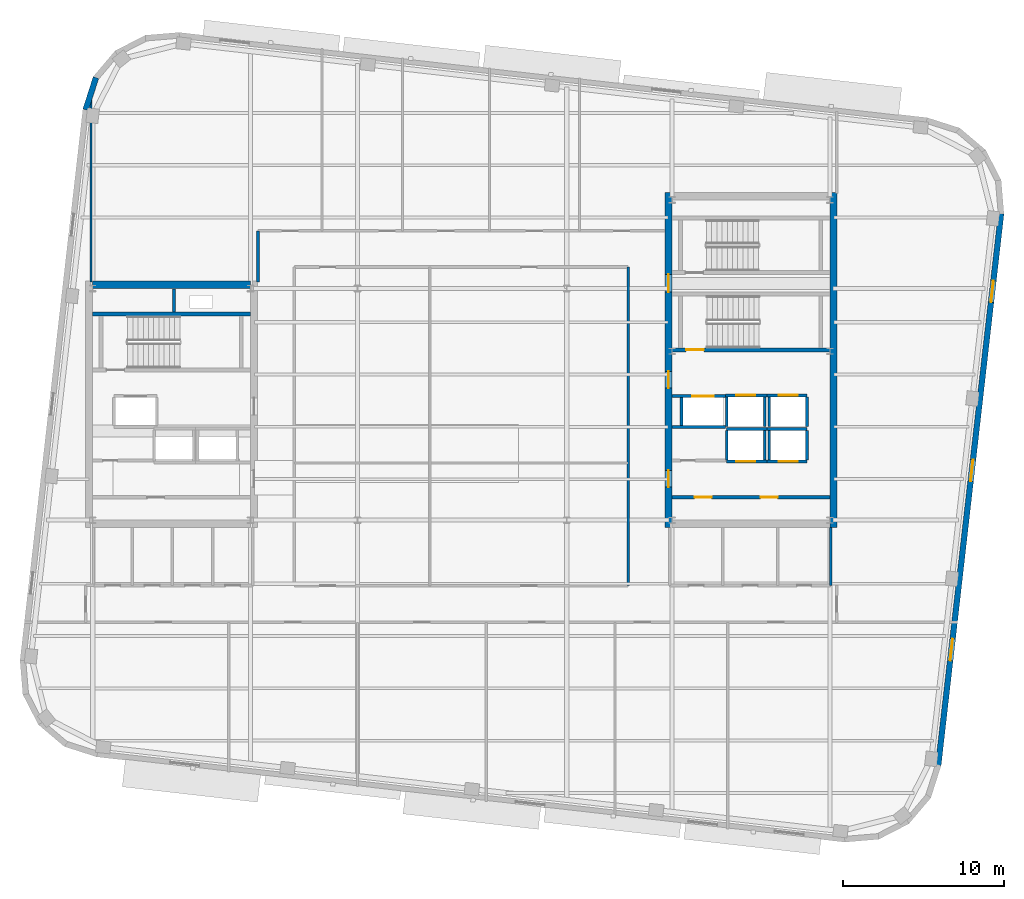
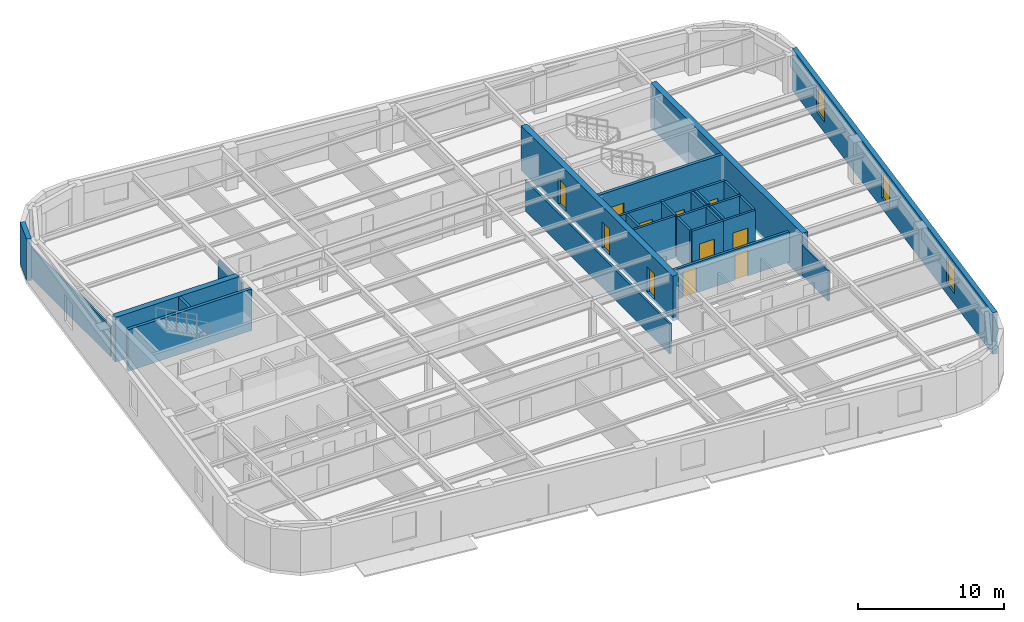
# One storey, part 7 of 13: 30 walls, 11 doors, 3 windows, 14 openings.
"""IFC4 building model written with IfcOpenShell, lengths in metres."""

from ifc_helpers import new_model, si_unit, direction, frame, frame_2d, origin, place, context, subcontext, project, spatial, rectangle, extrude, material, layer, layer_set, type_object, element, fill, save


model = new_model("IFC4")

# Units and contexts
model_context = context("Model", 3, precision=1e-05, world=origin(), true_north=direction((0.0, 1.0)))
body_context = subcontext(model_context, "Body", "Model", "MODEL_VIEW")
ifc_project = project(units=[si_unit("LENGTHUNIT", "METRE"), si_unit("AREAUNIT", "SQUARE_METRE"), si_unit("VOLUMEUNIT", "CUBIC_METRE"), si_unit("PLANEANGLEUNIT", "RADIAN"), si_unit("MASSUNIT", "GRAM", prefix="KILO")], contexts=[model_context])

# Site, building, storey
site_placement = place(None, origin())
site = spatial("IfcSite", under=ifc_project, at=site_placement, CompositionType="ELEMENT")
building_placement = place(site_placement, origin())
building = spatial("IfcBuilding", under=site, at=building_placement, Name="Kolvaren Arena Tower", CompositionType="ELEMENT")
storey_placement = place(building_placement, frame((0.0, 0.0, 250.949951171875)))
storey = spatial("IfcBuildingStorey", under=building, at=storey_placement, Name="L61", CompositionType="ELEMENT", Elevation=250.949951171875)

# Walls
ifc_material_1 = material(Name="Gypsum board acoustic assembly", Category="gypsum")
ifc_layer_1 = layer(ifc_material_1, 0.159912109375)
ifc_layer_set_1 = layer_set([ifc_layer_1], Name="Gypsum board acoustic assembly")
wall_type_1 = type_object("IfcWallType", Name="CORR-160", PredefinedType="PARTITIONING", material=ifc_layer_set_1)
wall_1_placement = place(storey_placement, frame((24.820068359375, 34.25, 0.0), z_axis=(0.0, 0.0, 1.0), x_axis=(0.0, 1.0, 0.0)))
element("IfcWall", 1, at=wall_1_placement, inside=storey, type_object=wall_type_1, Name="Interior Partition Wall (L61)", PredefinedType="PARTITIONING", context=body_context, shape_type="SweptSolid", body=[
    extrude(rectangle(XDim=3.169921875, YDim=0.159912109375, at=frame_2d((1.5849609375, 0.0))), origin(), (0.0, 0.0, 1.0), 2.5400390625),
])
wall_2_placement = place(storey_placement, frame((47.820068359375, 15.3798828125, 0.0), z_axis=(0.0, 0.0, 1.0), x_axis=(0.0, 1.0, 0.0)))
element("IfcWall", 2, at=wall_2_placement, inside=storey, type_object=wall_type_1, Name="Interior Partition Wall (L61)", PredefinedType="PARTITIONING", context=body_context, shape_type="SweptSolid", body=[
    extrude(rectangle(XDim=19.800048828125, YDim=0.159912109375, at=frame_2d((9.89990234375, 0.0))), origin(), (0.0, 0.0, 1.0), 2.5400390625),
])
ifc_material_2 = material(Name="Concrete 55 MPa", Category="concrete")
ifc_layer_2 = layer(ifc_material_2, 0.449951171875)
ifc_layer_set_2 = layer_set([ifc_layer_2], Name="Concrete 55 MPa")
wall_type_2 = type_object("IfcWallType", Name="CWALL-450", PredefinedType="SHEAR", material=ifc_layer_set_2)
wall_3_placement = place(storey_placement, frame((14.550048828125, 34.074951171875, -0.27001953125), z_axis=(0.0, 0.0, 1.0), x_axis=(1.0, 0.0, 0.0)))
element("IfcWall", 3, at=wall_3_placement, inside=storey, type_object=wall_type_2, Name="Core Shear Wall WC-NORTH (L61)", PredefinedType="SHEAR", context=body_context, shape_type="SweptSolid", body=[
    extrude(rectangle(XDim=9.800048828125, YDim=0.449951171875, at=frame_2d((4.89990234375, 0.0))), origin(), (0.0, 0.0, 1.0), 3.75),
])

# Wall, openings, doors
wall_4_placement = place(storey_placement, frame((50.324951171875, 19.0, -0.27001953125), z_axis=(0.0, 0.0, 1.0), x_axis=(0.0, 1.0, 0.0)))
wall_4 = element("IfcWall", 4, at=wall_4_placement, inside=storey, type_object=wall_type_2, Name="Core Shear Wall EC-WEST (L61)", PredefinedType="SHEAR", context=body_context, shape_type="SweptSolid", body=[
    extrude(rectangle(XDim=20.800048828125, YDim=0.449951171875, at=frame_2d((10.39990234375, 0.0))), origin(), (0.0, 0.0, 1.0), 3.75),
])
opening_1_placement = place(wall_4_placement, frame((2.5, 0.0, 0.27001953125)))
opening_1 = element("IfcOpeningElement", 5, at=opening_1_placement, cuts=wall_4, Name="Opening D04", PredefinedType="OPENING", context=body_context, shape_type="SweptSolid", body=[
    extrude(rectangle(XDim=1.050048828125, YDim=2.14990234375, at=frame_2d((0.52490234375, 1.074951171875))), frame((0.0, 0.23486328125, 0.0), z_axis=(0.0, -1.0, 0.0), x_axis=(1.0, 0.0, 0.0)), (0.0, 0.0, 1.0), 0.469970703125),
])
opening_2_placement = place(wall_4_placement, frame((8.64990234375, 0.0, 0.27001953125)))
opening_2 = element("IfcOpeningElement", 6, at=opening_2_placement, cuts=wall_4, Name="Opening D04", PredefinedType="OPENING", context=body_context, shape_type="SweptSolid", body=[
    extrude(rectangle(XDim=1.050048828125, YDim=2.14990234375, at=frame_2d((0.52490234375, 1.074951171875))), frame((0.0, 0.23486328125, 0.0), z_axis=(0.0, -1.0, 0.0), x_axis=(1.0, 0.0, 0.0)), (0.0, 0.0, 1.0), 0.469970703125),
])
opening_3_placement = place(wall_4_placement, frame((14.6201171875, 0.0, 0.27001953125)))
opening_3 = element("IfcOpeningElement", 7, at=opening_3_placement, cuts=wall_4, Name="Opening D03", PredefinedType="OPENING", context=body_context, shape_type="SweptSolid", body=[
    extrude(rectangle(XDim=1.10009765625, YDim=2.14990234375, at=frame_2d((0.550048828125, 1.074951171875))), frame((0.0, 0.23486328125, 0.0), z_axis=(0.0, -1.0, 0.0), x_axis=(1.0, 0.0, 0.0)), (0.0, 0.0, 1.0), 0.469970703125),
])
ifc_material_3 = material(Name="Fire-rated steel lobby door", Category="steel")
door_type_1 = type_object("IfcDoorType", Name="DOOR-FF-105", OperationType="NOTDEFINED", PredefinedType="DOOR", material=ifc_material_3)
door_1_placement = place(opening_1_placement, origin())
door_1 = element("IfcDoor", 8, at=door_1_placement, inside=storey, type_object=door_type_1, Name="East Lift Lobby Fire Door (L61)", OperationType="SINGLE_SWING_RIGHT", OverallHeight=2.14990234375, OverallWidth=1.050048828125, PredefinedType="DOOR", context=body_context, shape_type="SweptSolid", body=[
    extrude(rectangle(XDim=1.050048828125, YDim=2.14990234375, at=frame_2d((0.52490234375, 1.074951171875))), frame((0.0, 0.02490234375, 0.0), z_axis=(0.0, -1.0, 0.0), x_axis=(1.0, 0.0, 0.0)), (0.0, 0.0, 1.0), 0.050048828125),
])
fill(opening_1, door_1)
door_2_placement = place(opening_2_placement, origin())
door_2 = element("IfcDoor", 9, at=door_2_placement, inside=storey, type_object=door_type_1, Name="East Firefighter Vestibule Door (L61)", OperationType="SINGLE_SWING_LEFT", OverallHeight=2.14990234375, OverallWidth=1.050048828125, PredefinedType="DOOR", context=body_context, shape_type="SweptSolid", body=[
    extrude(rectangle(XDim=1.050048828125, YDim=2.14990234375, at=frame_2d((0.52490234375, 1.074951171875))), frame((0.0, 0.02490234375, 0.0), z_axis=(0.0, -1.0, 0.0), x_axis=(1.0, 0.0, 0.0)), (0.0, 0.0, 1.0), 0.050048828125),
])
fill(opening_2, door_2)
ifc_material_4 = material(Name="Fire-rated steel exit stair door", Category="steel")
door_type_2 = type_object("IfcDoorType", Name="DOOR-ST-110", OperationType="NOTDEFINED", PredefinedType="DOOR", material=ifc_material_4)
door_3_placement = place(opening_3_placement, origin())
door_3 = element("IfcDoor", 10, at=door_3_placement, inside=storey, type_object=door_type_2, Name="Stair ST-E2 Vestibule Fire Door (L61)", OperationType="SINGLE_SWING_LEFT", OverallHeight=2.14990234375, OverallWidth=1.10009765625, PredefinedType="DOOR", context=body_context, shape_type="SweptSolid", body=[
    extrude(rectangle(XDim=1.10009765625, YDim=2.14990234375, at=frame_2d((0.550048828125, 1.074951171875))), frame((0.0, 0.02490234375, 0.0), z_axis=(0.0, -1.0, 0.0), x_axis=(1.0, 0.0, 0.0)), (0.0, 0.0, 1.0), 0.050048828125),
])
fill(opening_3, door_3)

# Wall
wall_5_placement = place(storey_placement, frame((60.574951171875, 19.0, -0.27001953125), z_axis=(0.0, 0.0, 1.0), x_axis=(0.0, 1.0, 0.0)))
element("IfcWall", 11, at=wall_5_placement, inside=storey, type_object=wall_type_2, Name="Core Shear Wall EC-EAST (L61)", PredefinedType="SHEAR", context=body_context, shape_type="SweptSolid", body=[
    extrude(rectangle(XDim=20.800048828125, YDim=0.449951171875, at=frame_2d((10.39990234375, 0.0))), origin(), (0.0, 0.0, 1.0), 3.75),
])

# Wall, openings, windows
ifc_material_5 = material(Name="Precast concrete C50/60", Category="concrete")
ifc_layer_3 = layer(ifc_material_5, 0.360107421875)
ifc_layer_set_3 = layer_set([ifc_layer_3], Name="Precast concrete C50/60")
wall_type_3 = type_object("IfcWallType", Name="EXT-PIER2", PredefinedType="SOLIDWALL", material=ifc_layer_set_3)
wall_6_placement = place(storey_placement, frame((70.98876953125, 38.499267578125, 0.0), z_axis=(0.0, 0.0, 1.0), x_axis=(-0.113203107947, -0.993571867733, 0.0)))
wall_6 = element("IfcWall", 12, at=wall_6_placement, inside=storey, type_object=wall_type_3, Name="Exterior Precast Masonry-Frame Wall (L61)", PredefinedType="SOLIDWALL", context=body_context, shape_type="SweptSolid", body=[
    extrude(rectangle(XDim=34.5, YDim=0.360107421875, at=frame_2d((17.25, 0.0))), origin(), (0.0, 0.0, 1.0), 3.47998046875),
])
opening_4_placement = place(wall_6_placement, frame((4.199951171875, 0.0, 0.8798828125)))
opening_4 = element("IfcOpeningElement", 13, at=opening_4_placement, cuts=wall_6, Name="Opening W04", PredefinedType="OPENING", context=body_context, shape_type="SweptSolid", body=[
    extrude(rectangle(XDim=1.35009765625, YDim=2.199951171875, at=frame_2d((0.675048828125, 1.10009765625))), frame((0.0, 0.18994140625, 0.0), z_axis=(0.0, -1.0, 0.0), x_axis=(1.0, 0.0, 0.0)), (0.0, 0.0, 1.0), 0.380126953125),
])
opening_5_placement = place(wall_6_placement, frame((15.39990234375, 0.0, 0.8798828125)))
opening_5 = element("IfcOpeningElement", 14, at=opening_5_placement, cuts=wall_6, Name="Opening W04", PredefinedType="OPENING", context=body_context, shape_type="SweptSolid", body=[
    extrude(rectangle(XDim=1.35009765625, YDim=2.199951171875, at=frame_2d((0.675048828125, 1.10009765625))), frame((0.0, 0.18994140625, 0.0), z_axis=(0.0, -1.0, 0.0), x_axis=(1.0, 0.0, 0.0)), (0.0, 0.0, 1.0), 0.380126953125),
])
opening_6_placement = place(wall_6_placement, frame((26.60009765625, 0.0, 0.8798828125)))
opening_6 = element("IfcOpeningElement", 15, at=opening_6_placement, cuts=wall_6, Name="Opening W04", PredefinedType="OPENING", context=body_context, shape_type="SweptSolid", body=[
    extrude(rectangle(XDim=1.35009765625, YDim=2.199951171875, at=frame_2d((0.675048828125, 1.10009765625))), frame((0.0, 0.18994140625, 0.0), z_axis=(0.0, -1.0, 0.0), x_axis=(1.0, 0.0, 0.0)), (0.0, 0.0, 1.0), 0.380126953125),
])
ifc_material_6 = material(Name="Triple-glazed curved-facet corner window", Category="glass")
window_type = type_object("IfcWindowType", Name="WIN-CRN-A", PartitioningType="SINGLE_PANEL", PredefinedType="WINDOW", material=ifc_material_6)
window_1_placement = place(opening_4_placement, origin())
window_1 = element("IfcWindow", 16, at=window_1_placement, inside=storey, type_object=window_type, Name="End-Wall Punched Window (L61)", OverallHeight=2.199951171875, OverallWidth=1.35009765625, PartitioningType="SINGLE_PANEL", PredefinedType="WINDOW", context=body_context, shape_type="SweptSolid", body=[
    extrude(rectangle(XDim=1.35009765625, YDim=2.199951171875, at=frame_2d((0.675048828125, 1.10009765625))), frame((0.0, 0.030029296875, 0.0), z_axis=(0.0, -1.0, 0.0), x_axis=(1.0, 0.0, 0.0)), (0.0, 0.0, 1.0), 0.06005859375),
])
fill(opening_4, window_1)
window_2_placement = place(opening_5_placement, origin())
window_2 = element("IfcWindow", 17, at=window_2_placement, inside=storey, type_object=window_type, Name="End-Wall Punched Window (L61)", OverallHeight=2.199951171875, OverallWidth=1.35009765625, PartitioningType="SINGLE_PANEL", PredefinedType="WINDOW", context=body_context, shape_type="SweptSolid", body=[
    extrude(rectangle(XDim=1.35009765625, YDim=2.199951171875, at=frame_2d((0.675048828125, 1.10009765625))), frame((0.0, 0.030029296875, 0.0), z_axis=(0.0, -1.0, 0.0), x_axis=(1.0, 0.0, 0.0)), (0.0, 0.0, 1.0), 0.06005859375),
])
fill(opening_5, window_2)
window_3_placement = place(opening_6_placement, origin())
window_3 = element("IfcWindow", 18, at=window_3_placement, inside=storey, type_object=window_type, Name="End-Wall Punched Window (L61)", OverallHeight=2.199951171875, OverallWidth=1.35009765625, PartitioningType="SINGLE_PANEL", PredefinedType="WINDOW", context=body_context, shape_type="SweptSolid", body=[
    extrude(rectangle(XDim=1.35009765625, YDim=2.199951171875, at=frame_2d((0.675048828125, 1.10009765625))), frame((0.0, 0.030029296875, 0.0), z_axis=(0.0, -1.0, 0.0), x_axis=(1.0, 0.0, 0.0)), (0.0, 0.0, 1.0), 0.06005859375),
])
fill(opening_6, window_3)

# Wall
wall_7_placement = place(storey_placement, frame((14.109375, 44.944580078125, 0.0), z_axis=(0.0, 0.0, 1.0), x_axis=(0.304872429864, 0.952393196904, 0.0)))
element("IfcWall", 19, at=wall_7_placement, inside=storey, type_object=wall_type_3, Name="Exterior Precast Masonry-Frame Wall (L61)", PredefinedType="SOLIDWALL", context=body_context, shape_type="SweptSolid", body=[
    extrude(rectangle(XDim=2.10693359375, YDim=0.360107421875, at=frame_2d((1.053466796875, 0.0))), origin(), (0.0, 0.0, 1.0), 3.47998046875),
])

# Wall, openings, doors
ifc_material_7 = material(Name="Concrete 40 MPa", Category="concrete")
ifc_layer_4 = layer(ifc_material_7, 0.199951171875)
ifc_layer_set_4 = layer_set([ifc_layer_4], Name="Concrete 40 MPa")
wall_type_4 = type_object("IfcWallType", Name="LOBBY-200", PredefinedType="SOLIDWALL", material=ifc_layer_set_4)
wall_8_placement = place(storey_placement, frame((50.550048828125, 20.8798828125, 0.0), z_axis=(0.0, 0.0, 1.0), x_axis=(1.0, 0.0, 0.0)))
wall_8 = element("IfcWall", 20, at=wall_8_placement, inside=storey, type_object=wall_type_4, Name="Core Shaft Wall (L61)", PredefinedType="SOLIDWALL", context=body_context, shape_type="SweptSolid", body=[
    extrude(rectangle(XDim=9.800048828125, YDim=0.199951171875, at=frame_2d((4.89990234375, 0.0))), origin(), (0.0, 0.0, 1.0), 2.5400390625),
])
opening_7_placement = place(wall_8_placement, frame((1.39990234375, 0.0, 0.0)))
opening_7 = element("IfcOpeningElement", 21, at=opening_7_placement, cuts=wall_8, Name="Opening D04", PredefinedType="OPENING", context=body_context, shape_type="SweptSolid", body=[
    extrude(rectangle(XDim=1.050048828125, YDim=2.14990234375, at=frame_2d((0.52490234375, 1.074951171875))), frame((0.0, 0.10986328125, 0.0), z_axis=(0.0, -1.0, 0.0), x_axis=(1.0, 0.0, 0.0)), (0.0, 0.0, 1.0), 0.219970703125),
])
opening_8_placement = place(wall_8_placement, frame((5.5, 0.0, 0.0)))
opening_8 = element("IfcOpeningElement", 22, at=opening_8_placement, cuts=wall_8, Name="Opening D04", PredefinedType="OPENING", context=body_context, shape_type="SweptSolid", body=[
    extrude(rectangle(XDim=1.050048828125, YDim=2.14990234375, at=frame_2d((0.52490234375, 1.074951171875))), frame((0.0, 0.10986328125, 0.0), z_axis=(0.0, -1.0, 0.0), x_axis=(1.0, 0.0, 0.0)), (0.0, 0.0, 1.0), 0.219970703125),
])
door_4_placement = place(opening_7_placement, origin())
door_4 = element("IfcDoor", 23, at=door_4_placement, inside=storey, type_object=door_type_1, Name="East Telecom Room Fire Door (L61)", OperationType="SINGLE_SWING_RIGHT", OverallHeight=2.14990234375, OverallWidth=1.050048828125, PredefinedType="DOOR", context=body_context, shape_type="SweptSolid", body=[
    extrude(rectangle(XDim=1.050048828125, YDim=2.14990234375, at=frame_2d((0.52490234375, 1.074951171875))), frame((0.0, 0.02490234375, 0.0), z_axis=(0.0, -1.0, 0.0), x_axis=(1.0, 0.0, 0.0)), (0.0, 0.0, 1.0), 0.050048828125),
])
fill(opening_7, door_4)
door_5_placement = place(opening_8_placement, origin())
door_5 = element("IfcDoor", 24, at=door_5_placement, inside=storey, type_object=door_type_1, Name="East Records Room Fire Door (L61)", OperationType="SINGLE_SWING_LEFT", OverallHeight=2.14990234375, OverallWidth=1.050048828125, PredefinedType="DOOR", context=body_context, shape_type="SweptSolid", body=[
    extrude(rectangle(XDim=1.050048828125, YDim=2.14990234375, at=frame_2d((0.52490234375, 1.074951171875))), frame((0.0, 0.02490234375, 0.0), z_axis=(0.0, -1.0, 0.0), x_axis=(1.0, 0.0, 0.0)), (0.0, 0.0, 1.0), 0.050048828125),
])
fill(opening_8, door_5)

# Walls
ifc_material_8 = material(Name="Gypsum board partition assembly", Category="gypsum")
ifc_layer_5 = layer(ifc_material_8, 0.135009765625)
ifc_layer_set_5 = layer_set([ifc_layer_5], Name="Gypsum board partition assembly")
wall_type_5 = type_object("IfcWallType", Name="PART-135", PredefinedType="PARTITIONING", material=ifc_layer_set_5)
wall_9_placement = place(storey_placement, frame((14.449951171875, 34.25, 0.0), z_axis=(0.0, 0.0, 1.0), x_axis=(0.0, 1.0, 0.0)))
element("IfcWall", 25, at=wall_9_placement, inside=storey, type_object=wall_type_5, Name="Interior Partition Wall (L61)", PredefinedType="PARTITIONING", context=body_context, shape_type="SweptSolid", body=[
    extrude(rectangle(XDim=11.56201171875, YDim=0.135009765625, at=frame_2d((5.781005859375, 0.0))), origin(), (0.0, 0.0, 1.0), 2.5400390625),
])
ifc_material_9 = material(Name="Concrete 45 MPa", Category="concrete")
ifc_layer_6 = layer(ifc_material_9, 0.25)
ifc_layer_set_6 = layer_set([ifc_layer_6], Name="Concrete 45 MPa")
wall_type_6 = type_object("IfcWallType", Name="SHAFT-250", PredefinedType="SOLIDWALL", material=ifc_layer_set_6)
wall_10_placement = place(storey_placement, frame((14.550048828125, 32.25, 0.0), z_axis=(0.0, 0.0, 1.0), x_axis=(1.0, 0.0, 0.0)))
element("IfcWall", 26, at=wall_10_placement, inside=storey, type_object=wall_type_6, Name="Core Shaft Wall (L61)", PredefinedType="SOLIDWALL", context=body_context, shape_type="SweptSolid", body=[
    extrude(rectangle(XDim=9.800048828125, YDim=0.239990234375, at=frame_2d((4.89990234375, 0.0))), origin(), (0.0, 0.0, 1.0), 3.47998046875),
])

# Wall, opening, door
wall_11_placement = place(storey_placement, frame((60.35009765625, 30.030029296875, 0.0), z_axis=(0.0, 0.0, 1.0), x_axis=(-1.0, 0.0, 0.0)))
wall_11 = element("IfcWall", 27, at=wall_11_placement, inside=storey, type_object=wall_type_6, Name="Core Shaft Wall (L61)", PredefinedType="SOLIDWALL", context=body_context, shape_type="SweptSolid", body=[
    extrude(rectangle(XDim=9.800048828125, YDim=0.239990234375, at=frame_2d((4.89990234375, 0.0))), origin(), (0.0, 0.0, 1.0), 3.47998046875),
])
opening_9_placement = place(wall_11_placement, frame((7.830078125, 0.0, 0.0)))
opening_9 = element("IfcOpeningElement", 28, at=opening_9_placement, cuts=wall_11, Name="Opening D03", PredefinedType="OPENING", context=body_context, shape_type="SweptSolid", body=[
    extrude(rectangle(XDim=1.10009765625, YDim=2.14990234375, at=frame_2d((0.550048828125, 1.074951171875))), frame((0.0, 0.1298828125, 0.0), z_axis=(0.0, -1.0, 0.0), x_axis=(1.0, 0.0, 0.0)), (0.0, 0.0, 1.0), 0.260009765625),
])
door_6_placement = place(opening_9_placement, origin())
door_6 = element("IfcDoor", 29, at=door_6_placement, inside=storey, type_object=door_type_2, Name="Stair ST-E1 Fire Door (L61)", OperationType="SINGLE_SWING_LEFT", OverallHeight=2.14990234375, OverallWidth=1.10009765625, PredefinedType="DOOR", context=body_context, shape_type="SweptSolid", body=[
    extrude(rectangle(XDim=1.10009765625, YDim=2.14990234375, at=frame_2d((0.550048828125, 1.074951171875))), frame((0.0, 0.02490234375, 0.0), z_axis=(0.0, -1.0, 0.0), x_axis=(1.0, 0.0, 0.0)), (0.0, 0.0, 1.0), 0.050048828125),
])
fill(opening_9, door_6)

# Walls
wall_12_placement = place(storey_placement, frame((19.60009765625, 32.3701171875, 0.0), z_axis=(0.0, 0.0, 1.0), x_axis=(0.0, 1.0, 0.0)))
element("IfcWall", 30, at=wall_12_placement, inside=storey, type_object=wall_type_6, Name="Core Shaft Wall (L61)", PredefinedType="SOLIDWALL", context=body_context, shape_type="SweptSolid", body=[
    extrude(rectangle(XDim=1.429931640625, YDim=0.199951171875, at=frame_2d((0.71484375, 0.0))), origin(), (0.0, 0.0, 1.0), 3.47998046875),
])
wall_13_placement = place(storey_placement, frame((53.93994140625, 25.10498046875, 0.0), z_axis=(0.0, 0.0, 1.0), x_axis=(1.0, 0.0, 0.0)))
element("IfcWall", 31, at=wall_13_placement, inside=storey, type_object=wall_type_6, Name="Core Shaft Wall (L61)", PredefinedType="SOLIDWALL", context=body_context, shape_type="SweptSolid", body=[
    extrude(rectangle(XDim=2.5, YDim=0.179931640625, at=frame_2d((1.25, 0.0))), origin(), (0.0, 0.0, 1.0), 3.47998046875),
])

# Wall, opening, door
wall_14_placement = place(storey_placement, frame((53.93994140625, 23.094970703125, 0.0), z_axis=(0.0, 0.0, 1.0), x_axis=(1.0, 0.0, 0.0)))
wall_14 = element("IfcWall", 32, at=wall_14_placement, inside=storey, type_object=wall_type_6, Name="Core Shaft Wall (L61)", PredefinedType="SOLIDWALL", context=body_context, shape_type="SweptSolid", body=[
    extrude(rectangle(XDim=2.5, YDim=0.179931640625, at=frame_2d((1.25, 0.0))), origin(), (0.0, 0.0, 1.0), 3.47998046875),
])
opening_10_placement = place(wall_14_placement, frame((0.580078125, 0.0, 0.0)))
opening_10 = element("IfcOpeningElement", 33, at=opening_10_placement, cuts=wall_14, Name="Opening LD1", PredefinedType="OPENING", context=body_context, shape_type="SweptSolid", body=[
    extrude(rectangle(XDim=1.199951171875, YDim=2.199951171875, at=frame_2d((0.60009765625, 1.10009765625))), frame((0.0, 0.099853515625, 0.0), z_axis=(0.0, -1.0, 0.0), x_axis=(1.0, 0.0, 0.0)), (0.0, 0.0, 1.0), 0.199951171875),
])
ifc_material_10 = material(Name="Stainless steel passenger lift landing door", Category="steel")
door_type_3 = type_object("IfcDoorType", Name="DOOR-LD-120", OperationType="DOUBLE_DOOR_SLIDING", PredefinedType="DOOR", material=ifc_material_10)
door_7_placement = place(opening_10_placement, origin())
door_7 = element("IfcDoor", 34, at=door_7_placement, inside=storey, type_object=door_type_3, Name="Lift EL-HR1 Landing Door (L61)", OperationType="DOUBLE_DOOR_SLIDING", OverallHeight=2.199951171875, OverallWidth=1.199951171875, PredefinedType="DOOR", context=body_context, shape_type="SweptSolid", body=[
    extrude(rectangle(XDim=1.199951171875, YDim=2.199951171875, at=frame_2d((0.60009765625, 1.10009765625))), frame((0.0, 0.02490234375, 0.0), z_axis=(0.0, -1.0, 0.0), x_axis=(1.0, 0.0, 0.0)), (0.0, 0.0, 1.0), 0.050048828125),
])
fill(opening_10, door_7)

# Walls
for number, where, z_axis, x_axis, name in (
    (35, (53.93994140625, 23.18505859375, 0.0), (0.0, 0.0, 1.0), (0.0, 1.0, 0.0), "Core Shaft Wall (L61)"),
    (36, (56.300048828125, 23.18505859375, 0.0), (0.0, 0.0, 1.0), (0.0, 1.0, 0.0), "Core Shaft Wall (L61)"),
):
    element("IfcWall", number, at=place(storey_placement, frame(where, z_axis=z_axis, x_axis=x_axis)), inside=storey, type_object=wall_type_6, Name=name, PredefinedType="SOLIDWALL", context=body_context, shape_type="SweptSolid", body=[
        extrude(rectangle(XDim=1.829833984375, YDim=0.179931640625, at=frame_2d((0.9150390625, 0.0))), origin(), (0.0, 0.0, 1.0), 3.47998046875),
    ])
wall_15_placement = place(storey_placement, frame((56.43994140625, 25.10498046875, 0.0), z_axis=(0.0, 0.0, 1.0), x_axis=(1.0, 0.0, 0.0)))
element("IfcWall", 37, at=wall_15_placement, inside=storey, type_object=wall_type_6, Name="Core Shaft Wall (L61)", PredefinedType="SOLIDWALL", context=body_context, shape_type="SweptSolid", body=[
    extrude(rectangle(XDim=2.5, YDim=0.179931640625, at=frame_2d((1.25, 0.0))), origin(), (0.0, 0.0, 1.0), 3.47998046875),
])

# Wall, opening, door
wall_16_placement = place(storey_placement, frame((56.43994140625, 23.094970703125, 0.0), z_axis=(0.0, 0.0, 1.0), x_axis=(1.0, 0.0, 0.0)))
wall_16 = element("IfcWall", 38, at=wall_16_placement, inside=storey, type_object=wall_type_6, Name="Core Shaft Wall (L61)", PredefinedType="SOLIDWALL", context=body_context, shape_type="SweptSolid", body=[
    extrude(rectangle(XDim=2.5, YDim=0.179931640625, at=frame_2d((1.25, 0.0))), origin(), (0.0, 0.0, 1.0), 3.47998046875),
])
opening_11_placement = place(wall_16_placement, frame((0.719970703125, 0.0, 0.0)))
opening_11 = element("IfcOpeningElement", 39, at=opening_11_placement, cuts=wall_16, Name="Opening LD1", PredefinedType="OPENING", context=body_context, shape_type="SweptSolid", body=[
    extrude(rectangle(XDim=1.199951171875, YDim=2.199951171875, at=frame_2d((0.60009765625, 1.10009765625))), frame((0.0, 0.099853515625, 0.0), z_axis=(0.0, -1.0, 0.0), x_axis=(1.0, 0.0, 0.0)), (0.0, 0.0, 1.0), 0.199951171875),
])
door_8_placement = place(opening_11_placement, origin())
door_8 = element("IfcDoor", 40, at=door_8_placement, inside=storey, type_object=door_type_3, Name="Lift EL-HR2 Landing Door (L61)", OperationType="DOUBLE_DOOR_SLIDING", OverallHeight=2.199951171875, OverallWidth=1.199951171875, PredefinedType="DOOR", context=body_context, shape_type="SweptSolid", body=[
    extrude(rectangle(XDim=1.199951171875, YDim=2.199951171875, at=frame_2d((0.60009765625, 1.10009765625))), frame((0.0, 0.02490234375, 0.0), z_axis=(0.0, -1.0, 0.0), x_axis=(1.0, 0.0, 0.0)), (0.0, 0.0, 1.0), 0.050048828125),
])
fill(opening_11, door_8)

# Walls
for number, where, z_axis, x_axis, name in (
    (41, (56.580078125, 23.18505859375, 0.0), (0.0, 0.0, 1.0), (0.0, 1.0, 0.0), "Core Shaft Wall (L61)"),
    (42, (58.93994140625, 23.18505859375, 0.0), (0.0, 0.0, 1.0), (0.0, 1.0, 0.0), "Core Shaft Wall (L61)"),
):
    element("IfcWall", number, at=place(storey_placement, frame(where, z_axis=z_axis, x_axis=x_axis)), inside=storey, type_object=wall_type_6, Name=name, PredefinedType="SOLIDWALL", context=body_context, shape_type="SweptSolid", body=[
        extrude(rectangle(XDim=1.829833984375, YDim=0.179931640625, at=frame_2d((0.9150390625, 0.0))), origin(), (0.0, 0.0, 1.0), 3.47998046875),
    ])

# Wall, opening, door
wall_17_placement = place(storey_placement, frame((53.864990234375, 27.205078125, 0.0), z_axis=(0.0, 0.0, 1.0), x_axis=(1.0, 0.0, 0.0)))
wall_17 = element("IfcWall", 43, at=wall_17_placement, inside=storey, type_object=wall_type_6, Name="Core Shaft Wall (L61)", PredefinedType="SOLIDWALL", context=body_context, shape_type="SweptSolid", body=[
    extrude(rectangle(XDim=2.574951171875, YDim=0.179931640625, at=frame_2d((1.28759765625, 0.0))), origin(), (0.0, 0.0, 1.0), 3.47998046875),
])
opening_12_placement = place(wall_17_placement, frame((0.655029296875, 0.0, 0.0)))
opening_12 = element("IfcOpeningElement", 44, at=opening_12_placement, cuts=wall_17, Name="Opening LD1", PredefinedType="OPENING", context=body_context, shape_type="SweptSolid", body=[
    extrude(rectangle(XDim=1.199951171875, YDim=2.199951171875, at=frame_2d((0.60009765625, 1.10009765625))), frame((0.0, 0.099853515625, 0.0), z_axis=(0.0, -1.0, 0.0), x_axis=(1.0, 0.0, 0.0)), (0.0, 0.0, 1.0), 0.199951171875),
])
door_9_placement = place(opening_12_placement, origin())
door_9 = element("IfcDoor", 45, at=door_9_placement, inside=storey, type_object=door_type_3, Name="Lift EL-HR3 Landing Door (L61)", OperationType="DOUBLE_DOOR_SLIDING", OverallHeight=2.199951171875, OverallWidth=1.199951171875, PredefinedType="DOOR", context=body_context, shape_type="SweptSolid", body=[
    extrude(rectangle(XDim=1.199951171875, YDim=2.199951171875, at=frame_2d((0.60009765625, 1.10009765625))), frame((0.0, 0.02490234375, 0.0), z_axis=(0.0, -1.0, 0.0), x_axis=(1.0, 0.0, 0.0)), (0.0, 0.0, 1.0), 0.050048828125),
])
fill(opening_12, door_9)

# Walls
for number, where, z_axis, x_axis, name in (
    (46, (53.93994140625, 25.284912109375, 0.0), (0.0, 0.0, 1.0), (0.0, 1.0, 0.0), "Core Shaft Wall (L61)"),
    (47, (56.300048828125, 25.284912109375, 0.0), (0.0, 0.0, 1.0), (0.0, 1.0, 0.0), "Core Shaft Wall (L61)"),
):
    element("IfcWall", number, at=place(storey_placement, frame(where, z_axis=z_axis, x_axis=x_axis)), inside=storey, type_object=wall_type_6, Name=name, PredefinedType="SOLIDWALL", context=body_context, shape_type="SweptSolid", body=[
        extrude(rectangle(XDim=1.830078125, YDim=0.179931640625, at=frame_2d((0.9150390625, 0.0))), origin(), (0.0, 0.0, 1.0), 3.47998046875),
    ])

# Wall, opening, door
wall_18_placement = place(storey_placement, frame((56.43994140625, 27.205078125, 0.0), z_axis=(0.0, 0.0, 1.0), x_axis=(1.0, 0.0, 0.0)))
wall_18 = element("IfcWall", 48, at=wall_18_placement, inside=storey, type_object=wall_type_6, Name="Core Shaft Wall (L61)", PredefinedType="SOLIDWALL", context=body_context, shape_type="SweptSolid", body=[
    extrude(rectangle(XDim=2.5, YDim=0.179931640625, at=frame_2d((1.25, 0.0))), origin(), (0.0, 0.0, 1.0), 3.47998046875),
])
opening_13_placement = place(wall_18_placement, frame((0.719970703125, 0.0, 0.0)))
opening_13 = element("IfcOpeningElement", 49, at=opening_13_placement, cuts=wall_18, Name="Opening LD1", PredefinedType="OPENING", context=body_context, shape_type="SweptSolid", body=[
    extrude(rectangle(XDim=1.199951171875, YDim=2.199951171875, at=frame_2d((0.60009765625, 1.10009765625))), frame((0.0, 0.099853515625, 0.0), z_axis=(0.0, -1.0, 0.0), x_axis=(1.0, 0.0, 0.0)), (0.0, 0.0, 1.0), 0.199951171875),
])
door_10_placement = place(opening_13_placement, origin())
door_10 = element("IfcDoor", 50, at=door_10_placement, inside=storey, type_object=door_type_3, Name="Lift EL-HR4 Landing Door (L61)", OperationType="DOUBLE_DOOR_SLIDING", OverallHeight=2.199951171875, OverallWidth=1.199951171875, PredefinedType="DOOR", context=body_context, shape_type="SweptSolid", body=[
    extrude(rectangle(XDim=1.199951171875, YDim=2.199951171875, at=frame_2d((0.60009765625, 1.10009765625))), frame((0.0, 0.02490234375, 0.0), z_axis=(0.0, -1.0, 0.0), x_axis=(1.0, 0.0, 0.0)), (0.0, 0.0, 1.0), 0.050048828125),
])
fill(opening_13, door_10)

# Walls
for number, where, z_axis, x_axis, name in (
    (51, (56.580078125, 25.284912109375, 0.0), (0.0, 0.0, 1.0), (0.0, 1.0, 0.0), "Core Shaft Wall (L61)"),
    (52, (58.93994140625, 25.284912109375, 0.0), (0.0, 0.0, 1.0), (0.0, 1.0, 0.0), "Core Shaft Wall (L61)"),
):
    element("IfcWall", number, at=place(storey_placement, frame(where, z_axis=z_axis, x_axis=x_axis)), inside=storey, type_object=wall_type_6, Name=name, PredefinedType="SOLIDWALL", context=body_context, shape_type="SweptSolid", body=[
        extrude(rectangle(XDim=1.830078125, YDim=0.179931640625, at=frame_2d((0.9150390625, 0.0))), origin(), (0.0, 0.0, 1.0), 3.47998046875),
    ])

# Wall, opening, door
wall_19_placement = place(storey_placement, frame((50.550048828125, 27.155029296875, 0.0), z_axis=(0.0, 0.0, 1.0), x_axis=(1.0, 0.0, 0.0)))
wall_19 = element("IfcWall", 53, at=wall_19_placement, inside=storey, type_object=wall_type_6, Name="Core Shaft Wall (L61)", PredefinedType="SOLIDWALL", context=body_context, shape_type="SweptSolid", body=[
    extrude(rectangle(XDim=3.31494140625, YDim=0.179931640625, at=frame_2d((1.657470703125, 0.0))), origin(), (0.0, 0.0, 1.0), 3.47998046875),
])
opening_14_placement = place(wall_19_placement, frame((1.235107421875, 0.0, 0.0)))
opening_14 = element("IfcOpeningElement", 54, at=opening_14_placement, cuts=wall_19, Name="Opening LD2", PredefinedType="OPENING", context=body_context, shape_type="SweptSolid", body=[
    extrude(rectangle(XDim=1.35009765625, YDim=2.300048828125, at=frame_2d((0.675048828125, 1.14990234375))), frame((0.0, 0.099853515625, 0.0), z_axis=(0.0, -1.0, 0.0), x_axis=(1.0, 0.0, 0.0)), (0.0, 0.0, 1.0), 0.199951171875),
])
ifc_material_11 = material(Name="Stainless steel firefighter lift landing door", Category="steel")
door_type_4 = type_object("IfcDoorType", Name="DOOR-LD-135", OperationType="DOUBLE_DOOR_SLIDING", PredefinedType="DOOR", material=ifc_material_11)
door_11_placement = place(opening_14_placement, origin())
door_11 = element("IfcDoor", 55, at=door_11_placement, inside=storey, type_object=door_type_4, Name="Firefighter Lift FF-E1 Landing Door (L61)", OperationType="DOUBLE_DOOR_SLIDING", OverallHeight=2.300048828125, OverallWidth=1.35009765625, PredefinedType="DOOR", context=body_context, shape_type="SweptSolid", body=[
    extrude(rectangle(XDim=1.35009765625, YDim=2.300048828125, at=frame_2d((0.675048828125, 1.14990234375))), frame((0.0, 0.02490234375, 0.0), z_axis=(0.0, -1.0, 0.0), x_axis=(1.0, 0.0, 0.0)), (0.0, 0.0, 1.0), 0.050048828125),
])
fill(opening_14, door_11)

# Walls
wall_20_placement = place(storey_placement, frame((50.550048828125, 25.2451171875, 0.0), z_axis=(0.0, 0.0, 1.0), x_axis=(1.0, 0.0, 0.0)))
element("IfcWall", 56, at=wall_20_placement, inside=storey, type_object=wall_type_6, Name="Core Shaft Wall (L61)", PredefinedType="SOLIDWALL", context=body_context, shape_type="SweptSolid", body=[
    extrude(rectangle(XDim=3.31494140625, YDim=0.179931640625, at=frame_2d((1.657470703125, 0.0))), origin(), (0.0, 0.0, 1.0), 3.47998046875),
])
wall_21_placement = place(storey_placement, frame((51.1298828125, 25.3349609375, 0.0), z_axis=(0.0, 0.0, 1.0), x_axis=(0.0, 1.0, 0.0)))
element("IfcWall", 57, at=wall_21_placement, inside=storey, type_object=wall_type_6, Name="Core Shaft Wall (L61)", PredefinedType="SOLIDWALL", context=body_context, shape_type="SweptSolid", body=[
    extrude(rectangle(XDim=1.72998046875, YDim=0.179931640625, at=frame_2d((0.864990234375, 0.0))), origin(), (0.0, 0.0, 1.0), 3.47998046875),
])
ifc_material_12 = material(Name="Moisture-resistant gypsum assembly", Category="gypsum")
ifc_layer_7 = layer(ifc_material_12, 0.14990234375)
ifc_layer_set_7 = layer_set([ifc_layer_7], Name="Moisture-resistant gypsum assembly")
wall_type_7 = type_object("IfcWallType", Name="WETW-150", PredefinedType="PARTITIONING", material=ifc_layer_set_7)
wall_22_placement = place(storey_placement, frame((60.39990234375, 15.39990234375, 0.0), z_axis=(0.0, 0.0, 1.0), x_axis=(0.0, 1.0, 0.0)))
element("IfcWall", 58, at=wall_22_placement, inside=storey, type_object=wall_type_7, Name="Interior Partition Wall (L61)", PredefinedType="PARTITIONING", context=body_context, shape_type="SweptSolid", body=[
    extrude(rectangle(XDim=3.580078125, YDim=0.14990234375, at=frame_2d((1.7900390625, 0.0))), origin(), (0.0, 0.0, 1.0), 2.5400390625),
])

save(model, "model.ifc")
